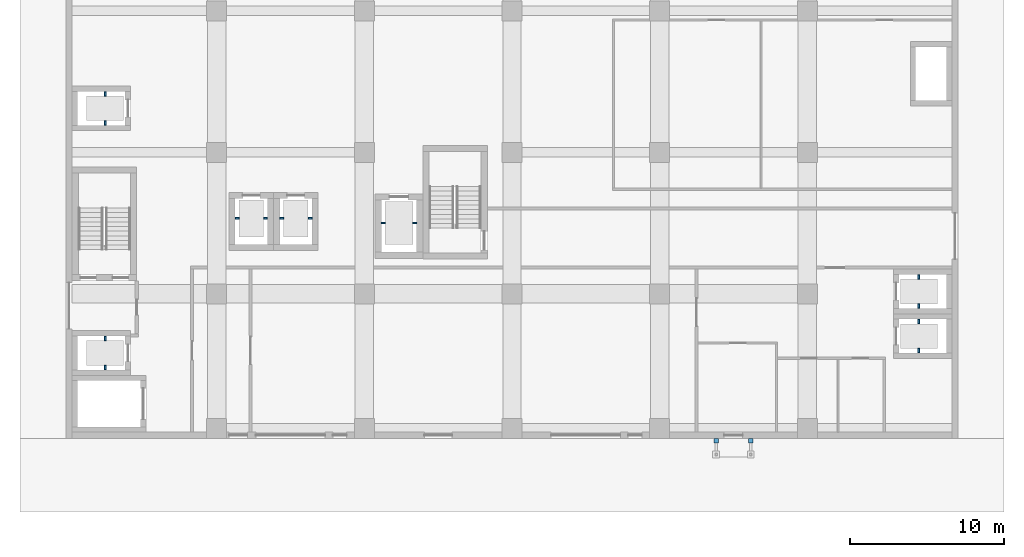
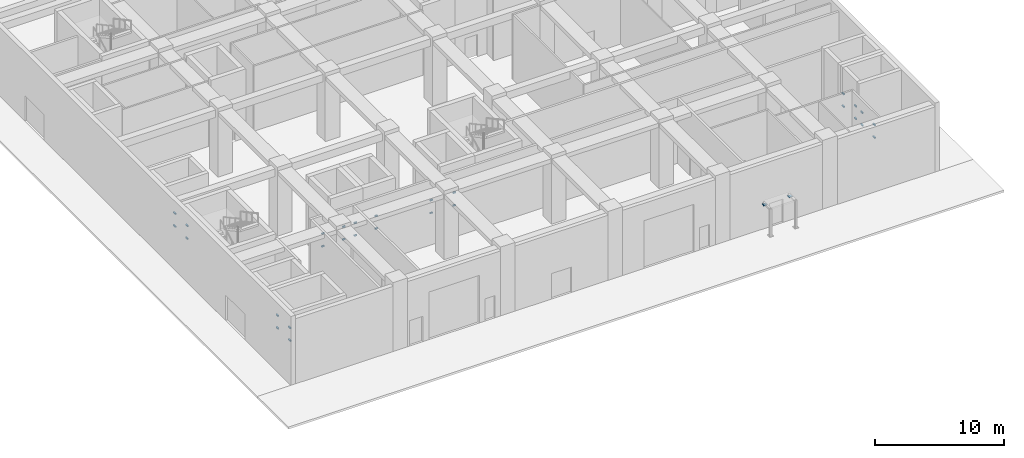
# One storey, part 26 of 45: 30 discrete accessories.
"""IFC4 building model written with IfcOpenShell, lengths in metres."""

import ifcopenshell
import ifcopenshell.guid

model = None  # the IFC model being written
_history = None  # IfcOwnerHistory: only IFC2X3 demands one
_inside = {}  # id of a spatial element -> (the spatial element, [elements in it])
_under = {}  # id of a project, library or spatial element -> (it, [spatial elements below it])
_declared = {}  # id of a project -> (the project, [libraries it declares])
_typed = {}  # id of a type object -> (the type object, [elements of that type])
_made_of = {}  # id of a material, layer set ... -> (it, [elements and type objects made of it])


def new_model(schema):
    """Start an empty IFC model of exactly this schema.

    Asked for "IFC4X3", IfcOpenShell would pick the latest addendum, in which some entities
    have other attributes; the version numbers below select the first issue.
    IFC2X3 requires an IfcOwnerHistory on every rooted entity: one is made here for all.
    """
    global model, _history
    if schema == "IFC4X3":
        model = ifcopenshell.file(schema_version=(4, 3, 0, 0))
    else:
        model = ifcopenshell.file(schema=schema)
    _inside.clear()
    _under.clear()
    _declared.clear()
    _typed.clear()
    _made_of.clear()
    _history = None
    if model.schema == "IFC2X3":
        org = make("IfcOrganization", Name="unknown")
        user = make(
            "IfcPersonAndOrganization",
            ThePerson=make("IfcPerson", FamilyName="unknown"),
            TheOrganization=org,
        )
        app = make(
            "IfcApplication",
            ApplicationDeveloper=org,
            Version="unknown",
            ApplicationFullName="unknown",
            ApplicationIdentifier="unknown",
        )
        _history = make(
            "IfcOwnerHistory",
            OwningUser=user,
            OwningApplication=app,
            ChangeAction="ADDED",
            CreationDate=0,
        )
    return model


def make(cls, **values):
    """One entity of the class cls with the attributes given. An attribute that is None is left unset."""
    return model.create_entity(
        cls, **{name: value for name, value in values.items() if value is not None}
    )


def rooted(cls, **values):
    """An entity with a GlobalId (a new one), such as an element, a storey or a relation."""
    return make(cls, GlobalId=ifcopenshell.guid.new(), OwnerHistory=_history, **values)


def si_unit(unit_type, name, prefix=None):
    """IfcSIUnit, for example si_unit("LENGTHUNIT", "METRE", prefix="MILLI")."""
    return make("IfcSIUnit", UnitType=unit_type, Prefix=prefix, Name=name)


def assignment(units):
    """IfcUnitAssignment: the units of a project."""
    return None if units is None else make("IfcUnitAssignment", Units=units)


def point(xyz):
    """IfcCartesianPoint."""
    return None if xyz is None else make("IfcCartesianPoint", Coordinates=xyz)


def direction(xyz):
    """IfcDirection."""
    return None if xyz is None else make("IfcDirection", DirectionRatios=xyz)


def frame(location, z_axis=None, x_axis=None):
    """IfcAxis2Placement3D, a coordinate frame: its origin and axes. An axis left out is left unset."""
    return make(
        "IfcAxis2Placement3D",
        Location=point(location),
        Axis=direction(z_axis),
        RefDirection=direction(x_axis),
    )


def frame_2d(location, x_axis=None):
    """IfcAxis2Placement2D, a coordinate frame in the plane: its origin and x axis."""
    return make(
        "IfcAxis2Placement2D", Location=point(location), RefDirection=direction(x_axis)
    )


def origin():
    """The frame at (0, 0, 0) with its axes left unset."""
    return frame((0.0, 0.0, 0.0))


def origin_2d():
    """The frame at (0, 0) in the plane with its x axis left unset."""
    return frame_2d((0.0, 0.0))


def place(relative_to, where):
    """IfcLocalPlacement: puts the frame where relative to a parent placement (None: the world)."""
    return make(
        "IfcLocalPlacement", PlacementRelTo=relative_to, RelativePlacement=where
    )


def context(
    kind, dimensions, precision=None, world=None, true_north=None, identifier=None
):
    """IfcGeometricRepresentationContext, for example the 3D "Model" context."""
    return make(
        "IfcGeometricRepresentationContext",
        ContextIdentifier=identifier,
        ContextType=kind,
        CoordinateSpaceDimension=dimensions,
        Precision=precision,
        WorldCoordinateSystem=world,
        TrueNorth=true_north,
    )


def subcontext(parent, identifier, kind, view, scale=None):
    """IfcGeometricRepresentationSubContext, for example "Body" below "Model"."""
    return make(
        "IfcGeometricRepresentationSubContext",
        ContextIdentifier=identifier,
        ContextType=kind,
        ParentContext=parent,
        TargetScale=scale,
        TargetView=view,
    )


def project(units=None, contexts=None):
    """IfcProject with its units and contexts."""
    return rooted(
        "IfcProject",
        Name="project",
        RepresentationContexts=contexts,
        UnitsInContext=assignment(units),
    )


def spatial(cls, under=None, at=None, **own):
    """A site, building, storey or space (cls), placed at a placement, below another one or the project."""
    s = rooted(cls, ObjectPlacement=at, **own)
    if under is not None:
        _under.setdefault(under.id(), (under, []))[1].append(s)
    return s


def profile(cls, at=None, kind="AREA", **sizes):
    """A parametric profile (cls). Its sizes go by their IFC names, for example OverallWidth=200.0."""
    return make(cls, ProfileType=kind, Position=at, **sizes)


def rectangle(**sizes):
    """IfcRectangleProfileDef."""
    return profile("IfcRectangleProfileDef", **sizes)


def extrude(swept, where, along, depth):
    """IfcExtrudedAreaSolid: the profile swept, set in the frame where, extruded along a direction by depth."""
    return make(
        "IfcExtrudedAreaSolid",
        SweptArea=swept,
        Position=where,
        ExtrudedDirection=direction(along),
        Depth=depth,
    )


def shape(context_of_items, identifier, shape_type, items):
    """IfcShapeRepresentation: the items that make up one representation, for example the "Body"."""
    return make(
        "IfcShapeRepresentation",
        ContextOfItems=context_of_items,
        RepresentationIdentifier=identifier,
        RepresentationType=shape_type,
        Items=items,
    )


def made_of(thing, what):
    """Note that an element or type object is made of a material, layer set ...; save() writes the relation."""
    if what is not None:
        _made_of.setdefault(what.id(), (what, []))[1].append(thing)
    return thing


def element(
    cls,
    number,
    at=None,
    inside=None,
    cuts=None,
    type_object=None,
    material=None,
    context=None,
    identifier="Body",
    shape_type=None,
    held_by="IfcProductDefinitionShape",
    body=None,
    shapes=None,
    **own,
):
    """One element of the class cls, such as IfcWall. Its Tag is "e" and its number.

    at: its placement. inside: the storey or other place that contains it. cuts: it is an
    opening in that element (IfcRelVoidsElement). A single representation is given by context,
    identifier, shape_type and body (its items); several are given by shapes. held_by: the class
    of the entity that holds the representations. save() writes the other relations.
    """
    e = rooted(cls, Tag="e%d" % number, ObjectPlacement=at, **own)
    if body is not None:
        shapes = [shape(context, identifier, shape_type, body)]
    if shapes is not None:
        e.Representation = make(held_by, Representations=shapes)
    if inside is not None:
        _inside.setdefault(inside.id(), (inside, []))[1].append(e)
    if cuts is not None:
        rooted(
            "IfcRelVoidsElement", RelatingBuildingElement=cuts, RelatedOpeningElement=e
        )
    if type_object is not None:
        _typed.setdefault(type_object.id(), (type_object, []))[1].append(e)
    return made_of(e, material)


def aggregate(whole, parts):
    """IfcRelAggregates: a whole, such as a stair, and the parts it consists of."""
    return rooted("IfcRelAggregates", RelatingObject=whole, RelatedObjects=parts)


def save(model, path):
    """Write the relations noted so far, then the file.

    IfcRelAggregates (storeys below a building ...), IfcRelContainedInSpatialStructure (elements
    in a storey), IfcRelDefinesByType, IfcRelAssociatesMaterial and IfcRelDeclares: one each for
    every whole, place, type object, material and project.
    """
    for whole, parts in _under.values():
        aggregate(whole, parts)
    for where, things in _inside.values():
        rooted(
            "IfcRelContainedInSpatialStructure",
            RelatedElements=things,
            RelatingStructure=where,
        )
    for kind, things in _typed.values():
        rooted("IfcRelDefinesByType", RelatedObjects=things, RelatingType=kind)
    for what, things in _made_of.values():
        rooted("IfcRelAssociatesMaterial", RelatedObjects=things, RelatingMaterial=what)
    for by, libraries in _declared.values():
        rooted("IfcRelDeclares", RelatingContext=by, RelatedDefinitions=libraries)
    model.write(path)


model = new_model("IFC4")

# Units and contexts
model_context = context("Model", 3, precision=1e-05, world=origin(), true_north=direction((0.0, 1.0)))
body_context = subcontext(model_context, "Body", "Model", "MODEL_VIEW")
ifc_project = project(units=[si_unit("LENGTHUNIT", "METRE"), si_unit("AREAUNIT", "SQUARE_METRE"), si_unit("VOLUMEUNIT", "CUBIC_METRE"), si_unit("PLANEANGLEUNIT", "RADIAN"), si_unit("MASSUNIT", "GRAM", prefix="KILO")], contexts=[model_context])

# Site, building, storey
site_placement = place(None, origin())
site = spatial("IfcSite", under=ifc_project, at=site_placement, CompositionType="ELEMENT")
building_placement = place(site_placement, origin())
building = spatial("IfcBuilding", under=site, at=building_placement, Name="Nzadi Deep Aquarium and Research Tower", CompositionType="ELEMENT")
storey_placement = place(building_placement, origin())
storey = spatial("IfcBuildingStorey", under=building, at=storey_placement, Name="G", CompositionType="ELEMENT", Elevation=0.0)

# Discrete accessories
for number, where, z_axis, x_axis, name in (
    (1, (42.074951171875, -0.35009765625, 2.3798828125), (0.0, 0.0, 1.0), (1.0, 0.0, 0.0), "Canopy seat bracket"),
    (2, (44.324951171875, -0.35009765625, 2.3798828125), (0.0, 0.0, 1.0), (1.0, 0.0, 0.0), "Canopy seat bracket"),
):
    element("IfcDiscreteAccessory", number, at=place(storey_placement, frame(where, z_axis=z_axis, x_axis=x_axis)), inside=storey, Name=name, PredefinedType="BRACKET", context=body_context, shape_type="SweptSolid", body=[
        extrude(rectangle(XDim=0.300048828125, YDim=0.300048828125, at=origin_2d()), origin(), (0.0, 0.0, 1.0), 0.02001953125),
    ])
for number, where, z_axis, x_axis, name in (
    (3, (2.35009765625, 4.39990234375, 0.5400390625), (0.0, 0.0, 1.0), (1.0, 0.0, 0.0), "Guide rail bracket EL1"),
    (4, (2.35009765625, 4.39990234375, 1.739990234375), (0.0, 0.0, 1.0), (1.0, 0.0, 0.0), "Guide rail bracket EL1"),
    (5, (2.35009765625, 6.300048828125, 0.5400390625), (0.0, 0.0, 1.0), (1.0, 0.0, 0.0), "Guide rail bracket EL1"),
    (6, (2.35009765625, 6.300048828125, 1.739990234375), (0.0, 0.0, 1.0), (1.0, 0.0, 0.0), "Guide rail bracket EL1"),
    (7, (2.35009765625, 20.300048828125, 0.5400390625), (0.0, 0.0, 1.0), (1.0, 0.0, 0.0), "Guide rail bracket PL1"),
    (8, (2.35009765625, 20.300048828125, 1.739990234375), (0.0, 0.0, 1.0), (1.0, 0.0, 0.0), "Guide rail bracket PL1"),
    (9, (2.35009765625, 22.199951171875, 0.5400390625), (0.0, 0.0, 1.0), (1.0, 0.0, 0.0), "Guide rail bracket PL1"),
    (10, (2.35009765625, 22.199951171875, 1.739990234375), (0.0, 0.0, 1.0), (1.0, 0.0, 0.0), "Guide rail bracket PL1"),
    (11, (55.25, 5.5, 0.5400390625), (0.0, 0.0, 1.0), (1.0, 0.0, 0.0), "Guide rail bracket EL2"),
    (12, (55.25, 5.5, 1.739990234375), (0.0, 0.0, 1.0), (1.0, 0.0, 0.0), "Guide rail bracket EL2"),
    (13, (55.25, 7.39990234375, 0.5400390625), (0.0, 0.0, 1.0), (1.0, 0.0, 0.0), "Guide rail bracket EL2"),
    (14, (55.25, 7.39990234375, 1.739990234375), (0.0, 0.0, 1.0), (1.0, 0.0, 0.0), "Guide rail bracket EL2"),
    (15, (55.25, 8.39990234375, 0.5400390625), (0.0, 0.0, 1.0), (1.0, 0.0, 0.0), "Guide rail bracket PL2"),
    (16, (55.25, 8.39990234375, 1.739990234375), (0.0, 0.0, 1.0), (1.0, 0.0, 0.0), "Guide rail bracket PL2"),
    (17, (55.25, 10.300048828125, 0.5400390625), (0.0, 0.0, 1.0), (1.0, 0.0, 0.0), "Guide rail bracket PL2"),
    (18, (55.25, 10.300048828125, 1.739990234375), (0.0, 0.0, 1.0), (1.0, 0.0, 0.0), "Guide rail bracket PL2"),
):
    element("IfcDiscreteAccessory", number, at=place(storey_placement, frame(where, z_axis=z_axis, x_axis=x_axis)), inside=storey, Name=name, PredefinedType="BRACKET", context=body_context, shape_type="SweptSolid", body=[
        extrude(rectangle(XDim=0.1201171875, YDim=0.300048828125, at=origin_2d()), origin(), (0.0, 0.0, 1.0), 0.1201171875),
    ])
for number, where, z_axis, x_axis, name in (
    (19, (10.925048828125, 14.10009765625, 0.5400390625), (0.0, 0.0, 1.0), (1.0, 0.0, 0.0), "Guide rail bracket TL1"),
    (20, (10.925048828125, 14.10009765625, 1.739990234375), (0.0, 0.0, 1.0), (1.0, 0.0, 0.0), "Guide rail bracket TL1"),
    (21, (12.77490234375, 14.10009765625, 0.5400390625), (0.0, 0.0, 1.0), (1.0, 0.0, 0.0), "Guide rail bracket TL1"),
    (22, (12.77490234375, 14.10009765625, 1.739990234375), (0.0, 0.0, 1.0), (1.0, 0.0, 0.0), "Guide rail bracket TL1"),
    (23, (13.824951171875, 14.10009765625, 0.5400390625), (0.0, 0.0, 1.0), (1.0, 0.0, 0.0), "Guide rail bracket TL2"),
    (24, (13.824951171875, 14.10009765625, 1.739990234375), (0.0, 0.0, 1.0), (1.0, 0.0, 0.0), "Guide rail bracket TL2"),
    (25, (15.675048828125, 14.10009765625, 0.5400390625), (0.0, 0.0, 1.0), (1.0, 0.0, 0.0), "Guide rail bracket TL2"),
    (26, (15.675048828125, 14.10009765625, 1.739990234375), (0.0, 0.0, 1.0), (1.0, 0.0, 0.0), "Guide rail bracket TL2"),
    (27, (20.425048828125, 13.800048828125, 0.5400390625), (0.0, 0.0, 1.0), (1.0, 0.0, 0.0), "Guide rail bracket FL1"),
    (28, (20.425048828125, 13.800048828125, 1.739990234375), (0.0, 0.0, 1.0), (1.0, 0.0, 0.0), "Guide rail bracket FL1"),
    (29, (22.47509765625, 13.800048828125, 0.5400390625), (0.0, 0.0, 1.0), (1.0, 0.0, 0.0), "Guide rail bracket FL1"),
    (30, (22.47509765625, 13.800048828125, 1.739990234375), (0.0, 0.0, 1.0), (1.0, 0.0, 0.0), "Guide rail bracket FL1"),
):
    element("IfcDiscreteAccessory", number, at=place(storey_placement, frame(where, z_axis=z_axis, x_axis=x_axis)), inside=storey, Name=name, PredefinedType="BRACKET", context=body_context, shape_type="SweptSolid", body=[
        extrude(rectangle(XDim=0.25, YDim=0.1201171875, at=origin_2d()), origin(), (0.0, 0.0, 1.0), 0.1201171875),
    ])

save(model, "model.ifc")
